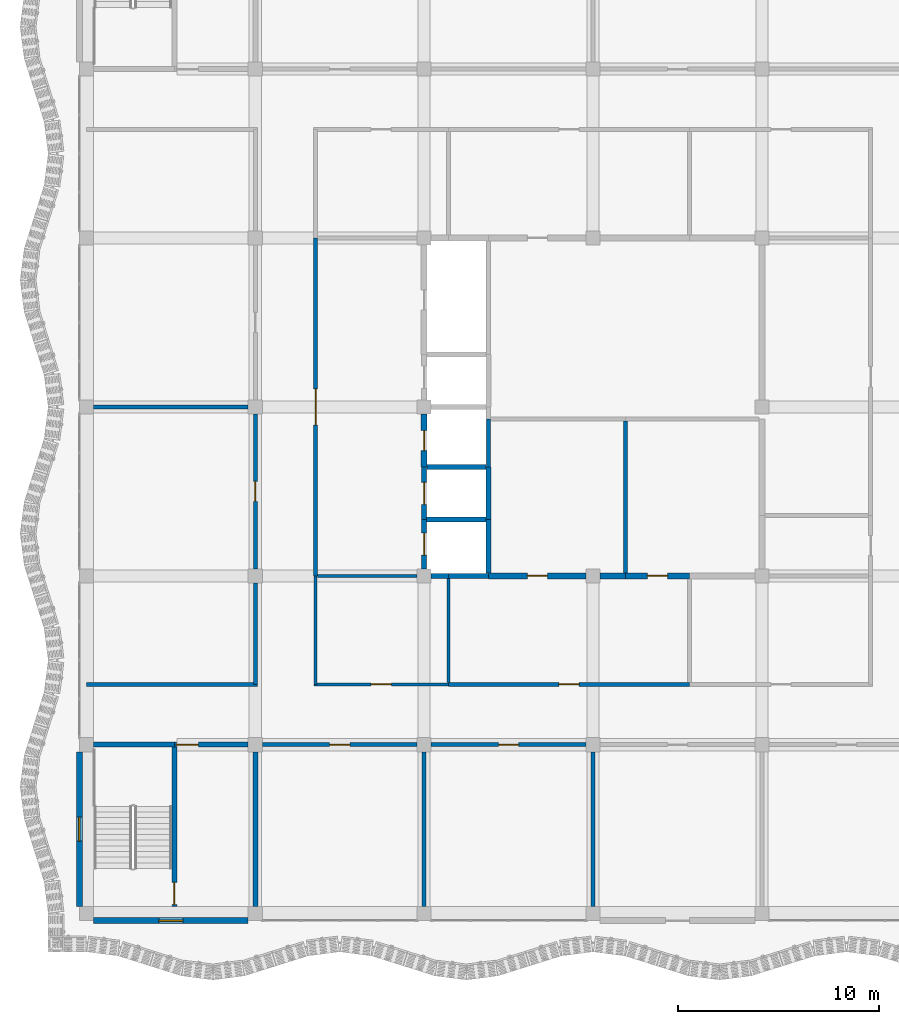
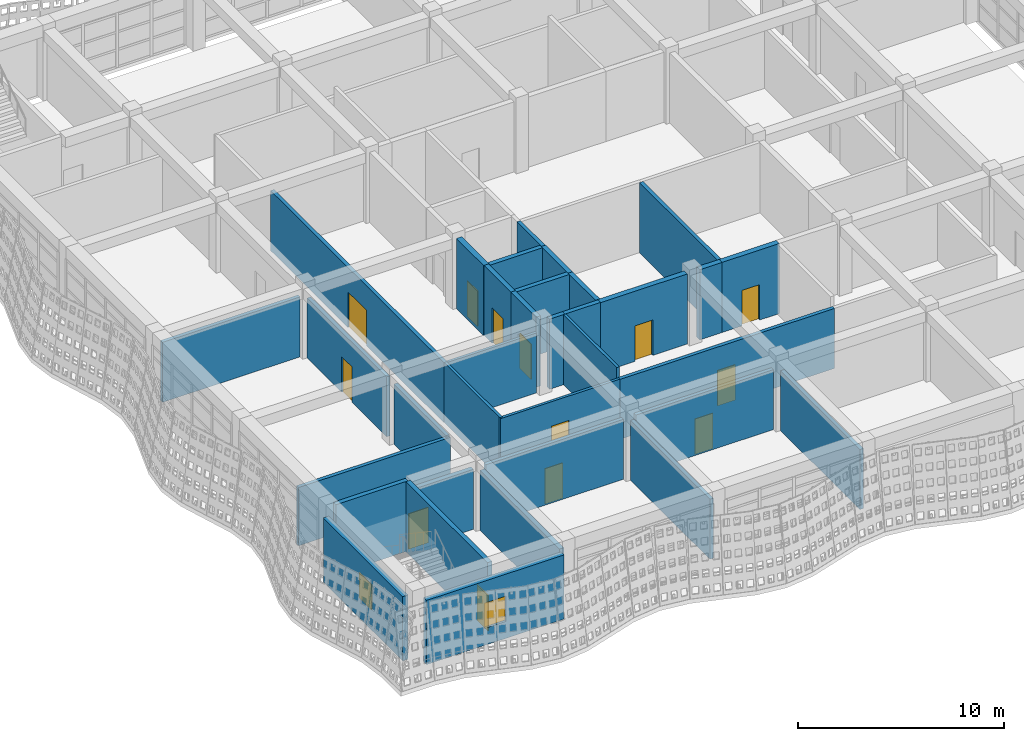
# One storey, part 78 of 162: 34 walls, 13 doors, 2 windows, 15 openings.
"""IFC4 building model written with IfcOpenShell, lengths in metres."""

from ifc_helpers import new_model, si_unit, direction, frame, frame_2d, origin, place, context, subcontext, project, spatial, rectangle, extrude, material, layer, layer_set, type_object, element, fill, save


model = new_model("IFC4")

# Units and contexts
model_context = context("Model", 3, precision=1e-05, world=origin(), true_north=direction((0.0, 1.0)))
body_context = subcontext(model_context, "Body", "Model", "MODEL_VIEW")
ifc_project = project(units=[si_unit("LENGTHUNIT", "METRE"), si_unit("AREAUNIT", "SQUARE_METRE"), si_unit("VOLUMEUNIT", "CUBIC_METRE"), si_unit("PLANEANGLEUNIT", "RADIAN"), si_unit("MASSUNIT", "GRAM", prefix="KILO")], contexts=[model_context])

# Site, building, storey
site_placement = place(None, origin())
site = spatial("IfcSite", under=ifc_project, at=site_placement, CompositionType="ELEMENT")
building_placement = place(site_placement, origin())
building = spatial("IfcBuilding", under=site, at=building_placement, Name="Rain Tree Exposition and Congress Centre", CompositionType="ELEMENT")
storey_placement = place(building_placement, frame((0.0, 0.0, 6.0)))
storey = spatial("IfcBuildingStorey", under=building, at=storey_placement, Name="L01", CompositionType="ELEMENT", Elevation=6.0)

# Wall, opening, door
ifc_material_1 = material(Name="Plasterboard on steel stud", Category="steel")
ifc_layer_1 = layer(ifc_material_1, 0.199951171875)
ifc_layer_set_1 = layer_set([ifc_layer_1], Name="Plasterboard on steel stud")
wall_type_1 = type_object("IfcWallType", Name="Wing acoustic partition 200", PredefinedType="PARTITIONING", material=ifc_layer_set_1)
wall_1_placement = place(storey_placement, frame((8.75, 8.39990234375, 0.0), z_axis=(0.0, 0.0, 1.0), x_axis=(1.0, 0.0, 0.0)))
wall_1 = element("IfcWall", 1, at=wall_1_placement, inside=storey, type_object=wall_type_1, Name="wing/wall/L01/003", PredefinedType="PARTITIONING", context=body_context, shape_type="SweptSolid", body=[
    extrude(rectangle(XDim=7.699951171875, YDim=0.199951171875, at=frame_2d((3.85009765625, 0.0))), origin(), (0.0, 0.0, 1.0), 3.550048828125),
])
opening_1_placement = place(wall_1_placement, frame((3.35009765625, 0.0, 0.0)))
opening_1 = element("IfcOpeningElement", 2, at=opening_1_placement, cuts=wall_1, Name="Opening DW221", PredefinedType="OPENING", context=body_context, shape_type="SweptSolid", body=[
    extrude(rectangle(XDim=1.0, YDim=2.10009765625, at=frame_2d((0.5, 1.050048828125))), frame((0.0, 0.10009765625, 0.0), z_axis=(0.0, -1.0, 0.0), x_axis=(1.0, 0.0, 0.0)), (0.0, 0.0, 1.0), 0.199951171875),
])
ifc_material_2 = material(Name="Timber door leaf", Category="wood")
door_type_1 = type_object("IfcDoorType", Name="Wing door FD30S 1000x2100", OperationType="NOTDEFINED", PredefinedType="DOOR", material=ifc_material_2)
door_1_placement = place(opening_1_placement, origin())
door_1 = element("IfcDoor", 3, at=door_1_placement, inside=storey, type_object=door_type_1, Name="Door DW221", OperationType="SINGLE_SWING_LEFT", OverallHeight=2.10009765625, OverallWidth=1.0, PredefinedType="DOOR", context=body_context, shape_type="SweptSolid", body=[
    extrude(rectangle(XDim=1.0, YDim=2.10009765625, at=frame_2d((0.5, 1.050048828125))), frame((0.0, 0.02490234375, 0.0), z_axis=(0.0, -1.0, 0.0), x_axis=(1.0, 0.0, 0.0)), (0.0, 0.0, 1.0), 0.050048828125),
])
fill(opening_1, door_1)

wall_2_placement = place(storey_placement, frame((17.14990234375, 8.39990234375, 0.0), z_axis=(0.0, 0.0, 1.0), x_axis=(1.0, 0.0, 0.0)))
wall_2 = element("IfcWall", 4, at=wall_2_placement, inside=storey, type_object=wall_type_1, Name="wing/wall/L01/004", PredefinedType="PARTITIONING", context=body_context, shape_type="SweptSolid", body=[
    extrude(rectangle(XDim=7.7001953125, YDim=0.199951171875, at=frame_2d((3.85009765625, 0.0))), origin(), (0.0, 0.0, 1.0), 3.550048828125),
])
opening_2_placement = place(wall_2_placement, frame((3.35009765625, 0.0, 0.0)))
opening_2 = element("IfcOpeningElement", 5, at=opening_2_placement, cuts=wall_2, Name="Opening DW222", PredefinedType="OPENING", context=body_context, shape_type="SweptSolid", body=[
    extrude(rectangle(XDim=1.0, YDim=2.10009765625, at=frame_2d((0.5, 1.050048828125))), frame((0.0, 0.10009765625, 0.0), z_axis=(0.0, -1.0, 0.0), x_axis=(1.0, 0.0, 0.0)), (0.0, 0.0, 1.0), 0.199951171875),
])
door_2_placement = place(opening_2_placement, origin())
door_2 = element("IfcDoor", 6, at=door_2_placement, inside=storey, type_object=door_type_1, Name="Door DW222", OperationType="SINGLE_SWING_LEFT", OverallHeight=2.10009765625, OverallWidth=1.0, PredefinedType="DOOR", context=body_context, shape_type="SweptSolid", body=[
    extrude(rectangle(XDim=1.0, YDim=2.10009765625, at=frame_2d((0.5, 1.050048828125))), frame((0.0, 0.02490234375, 0.0), z_axis=(0.0, -1.0, 0.0), x_axis=(1.0, 0.0, 0.0)), (0.0, 0.0, 1.0), 0.050048828125),
])
fill(opening_2, door_2)

# Wall
wall_3_placement = place(storey_placement, frame((0.0, 11.39990234375, 0.0), z_axis=(0.0, 0.0, 1.0), x_axis=(1.0, 0.0, 0.0)))
element("IfcWall", 7, at=wall_3_placement, inside=storey, type_object=wall_type_1, Name="wing/wall/L01/009", PredefinedType="PARTITIONING", context=body_context, shape_type="SweptSolid", body=[
    extrude(rectangle(XDim=8.5, YDim=0.199951171875, at=frame_2d((4.25, 0.0))), origin(), (0.0, 0.0, 1.0), 3.449951171875),
])

# Wall, opening, door
wall_4_placement = place(storey_placement, frame((18.0, 11.39990234375, 0.0), z_axis=(0.0, 0.0, 1.0), x_axis=(1.0, 0.0, 0.0)))
wall_4 = element("IfcWall", 8, at=wall_4_placement, inside=storey, type_object=wall_type_1, Name="wing/wall/L01/011", PredefinedType="PARTITIONING", context=body_context, shape_type="SweptSolid", body=[
    extrude(rectangle(XDim=12.0, YDim=0.199951171875, at=frame_2d((6.0, 0.0))), origin(), (0.0, 0.0, 1.0), 3.550048828125),
])
opening_3_placement = place(wall_4_placement, frame((5.5, 0.0, 0.0)))
opening_3 = element("IfcOpeningElement", 9, at=opening_3_placement, cuts=wall_4, Name="Opening DW217", PredefinedType="OPENING", context=body_context, shape_type="SweptSolid", body=[
    extrude(rectangle(XDim=1.0, YDim=2.10009765625, at=frame_2d((0.5, 1.050048828125))), frame((0.0, 0.10009765625, 0.0), z_axis=(0.0, -1.0, 0.0), x_axis=(1.0, 0.0, 0.0)), (0.0, 0.0, 1.0), 0.199951171875),
])
door_3_placement = place(opening_3_placement, origin())
door_3 = element("IfcDoor", 10, at=door_3_placement, inside=storey, type_object=door_type_1, Name="Door DW217", OperationType="SINGLE_SWING_LEFT", OverallHeight=2.10009765625, OverallWidth=1.0, PredefinedType="DOOR", context=body_context, shape_type="SweptSolid", body=[
    extrude(rectangle(XDim=1.0, YDim=2.10009765625, at=frame_2d((0.5, 1.050048828125))), frame((0.0, 0.02490234375, 0.0), z_axis=(0.0, -1.0, 0.0), x_axis=(1.0, 0.0, 0.0)), (0.0, 0.0, 1.0), 0.050048828125),
])
fill(opening_3, door_3)

# Walls
wall_5_placement = place(storey_placement, frame((0.35009765625, 25.199951171875, 0.0), z_axis=(0.0, 0.0, 1.0), x_axis=(1.0, 0.0, 0.0)))
element("IfcWall", 11, at=wall_5_placement, inside=storey, type_object=wall_type_1, Name="wing/wall/L01/028", PredefinedType="PARTITIONING", context=body_context, shape_type="SweptSolid", body=[
    extrude(rectangle(XDim=7.699951171875, YDim=0.199951171875, at=frame_2d((3.85009765625, 0.0))), origin(), (0.0, 0.0, 1.0), 3.550048828125),
])
wall_6_placement = place(storey_placement, frame((8.39990234375, 11.39990234375, 0.0), z_axis=(0.0, 0.0, 1.0), x_axis=(0.0, 1.0, 0.0)))
element("IfcWall", 12, at=wall_6_placement, inside=storey, type_object=wall_type_1, Name="wing/wall/L01/055", PredefinedType="PARTITIONING", context=body_context, shape_type="SweptSolid", body=[
    extrude(rectangle(XDim=5.050048828125, YDim=0.199951171875, at=frame_2d((2.52490234375, 0.0))), origin(), (0.0, 0.0, 1.0), 3.550048828125),
])

# Wall, opening, door
wall_7_placement = place(storey_placement, frame((8.39990234375, 17.14990234375, 0.0), z_axis=(0.0, 0.0, 1.0), x_axis=(0.0, 1.0, 0.0)))
wall_7 = element("IfcWall", 13, at=wall_7_placement, inside=storey, type_object=wall_type_1, Name="wing/wall/L01/056", PredefinedType="PARTITIONING", context=body_context, shape_type="SweptSolid", body=[
    extrude(rectangle(XDim=7.7001953125, YDim=0.199951171875, at=frame_2d((3.85009765625, 0.0))), origin(), (0.0, 0.0, 1.0), 3.550048828125),
])
opening_4_placement = place(wall_7_placement, frame((3.35009765625, 0.0, 0.0)))
opening_4 = element("IfcOpeningElement", 14, at=opening_4_placement, cuts=wall_7, Name="Opening DW228", PredefinedType="OPENING", context=body_context, shape_type="SweptSolid", body=[
    extrude(rectangle(XDim=1.0, YDim=2.10009765625, at=frame_2d((0.5, 1.050048828125))), frame((0.0, 0.10009765625, 0.0), z_axis=(0.0, -1.0, 0.0), x_axis=(1.0, 0.0, 0.0)), (0.0, 0.0, 1.0), 0.199951171875),
])
door_4_placement = place(opening_4_placement, origin())
door_4 = element("IfcDoor", 15, at=door_4_placement, inside=storey, type_object=door_type_1, Name="Door DW228", OperationType="SINGLE_SWING_LEFT", OverallHeight=2.10009765625, OverallWidth=1.0, PredefinedType="DOOR", context=body_context, shape_type="SweptSolid", body=[
    extrude(rectangle(XDim=1.0, YDim=2.10009765625, at=frame_2d((0.5, 1.050048828125))), frame((0.0, 0.02490234375, 0.0), z_axis=(0.0, -1.0, 0.0), x_axis=(1.0, 0.0, 0.0)), (0.0, 0.0, 1.0), 0.050048828125),
])
fill(opening_4, door_4)

wall_8_placement = place(storey_placement, frame((11.39990234375, 16.800048828125, 0.0), z_axis=(0.0, 0.0, 1.0), x_axis=(0.0, 1.0, 0.0)))
wall_8 = element("IfcWall", 16, at=wall_8_placement, inside=storey, type_object=wall_type_1, Name="wing/wall/L01/061", PredefinedType="PARTITIONING", context=body_context, shape_type="SweptSolid", body=[
    extrude(rectangle(XDim=16.800048828125, YDim=0.199951171875, at=frame_2d((8.39990234375, 0.0))), origin(), (0.0, 0.0, 1.0), 3.550048828125),
])
opening_5_placement = place(wall_8_placement, frame((7.5, 0.0, 0.0)))
opening_5 = element("IfcOpeningElement", 17, at=opening_5_placement, cuts=wall_8, Name="Opening DW219", PredefinedType="OPENING", context=body_context, shape_type="SweptSolid", body=[
    extrude(rectangle(XDim=1.800048828125, YDim=2.10009765625, at=frame_2d((0.89990234375, 1.050048828125))), frame((0.0, 0.10009765625, 0.0), z_axis=(0.0, -1.0, 0.0), x_axis=(1.0, 0.0, 0.0)), (0.0, 0.0, 1.0), 0.199951171875),
])
ifc_material_3 = material(Name="Timber door leaf", Category="wood")
door_type_2 = type_object("IfcDoorType", Name="Wing door FD30S 1800x2100 double", OperationType="DOUBLE_DOOR_DOUBLE_SWING", PredefinedType="DOOR", material=ifc_material_3)
door_5_placement = place(opening_5_placement, origin())
door_5 = element("IfcDoor", 18, at=door_5_placement, inside=storey, type_object=door_type_2, Name="Door DW219", OperationType="DOUBLE_DOOR_DOUBLE_SWING", OverallHeight=2.10009765625, OverallWidth=1.800048828125, PredefinedType="DOOR", context=body_context, shape_type="SweptSolid", body=[
    extrude(rectangle(XDim=1.800048828125, YDim=2.10009765625, at=frame_2d((0.89990234375, 1.050048828125))), frame((0.0, 0.02490234375, 0.0), z_axis=(0.0, -1.0, 0.0), x_axis=(1.0, 0.0, 0.0)), (0.0, 0.0, 1.0), 0.050048828125),
])
fill(opening_5, door_5)

# Walls
for number, where, z_axis, x_axis, name in (
    (19, (16.800048828125, 0.35009765625, 0.0), (0.0, 0.0, 1.0), (0.0, 1.0, 0.0), "wing/wall/L01/063"),
    (20, (25.199951171875, 0.35009765625, 0.0), (0.0, 0.0, 1.0), (0.0, 1.0, 0.0), "wing/wall/L01/077"),
):
    element("IfcWall", number, at=place(storey_placement, frame(where, z_axis=z_axis, x_axis=x_axis)), inside=storey, type_object=wall_type_1, Name=name, PredefinedType="PARTITIONING", context=body_context, shape_type="SweptSolid", body=[
        extrude(rectangle(XDim=7.699951171875, YDim=0.199951171875, at=frame_2d((3.85009765625, 0.0))), origin(), (0.0, 0.0, 1.0), 3.550048828125),
    ])
wall_9_placement = place(storey_placement, frame((26.800048828125, 16.949951171875, 0.0), z_axis=(0.0, 0.0, 1.0), x_axis=(0.0, 1.0, 0.0)))
element("IfcWall", 21, at=wall_9_placement, inside=storey, type_object=wall_type_1, Name="wing/wall/L01/079", PredefinedType="PARTITIONING", context=body_context, shape_type="SweptSolid", body=[
    extrude(rectangle(XDim=7.550048828125, YDim=0.199951171875, at=frame_2d((3.77490234375, 0.0))), origin(), (0.0, 0.0, 1.0), 4.14990234375),
])

# Wall, opening, door
ifc_material_4 = material(Name="Concrete C40/50", Category="concrete")
ifc_layer_2 = layer(ifc_material_4, 0.300048828125)
ifc_layer_set_2 = layer_set([ifc_layer_2], Name="Concrete C40/50")
wall_type_2 = type_object("IfcWallType", Name="Wing core wall 300", PredefinedType="SHEAR", material=ifc_layer_set_2)
wall_10_placement = place(storey_placement, frame((20.0, 16.800048828125, 0.0), z_axis=(0.0, 0.0, 1.0), x_axis=(1.0, 0.0, 0.0)))
wall_10 = element("IfcWall", 22, at=wall_10_placement, inside=storey, type_object=wall_type_2, Name="wing/wall/L01/017", PredefinedType="SHEAR", context=body_context, shape_type="SweptSolid", body=[
    extrude(rectangle(XDim=4.85009765625, YDim=0.300048828125, at=frame_2d((2.425048828125, 0.0))), origin(), (0.0, 0.0, 1.0), 4.14990234375),
])
opening_6_placement = place(wall_10_placement, frame((1.925048828125, 0.0, 0.0)))
opening_6 = element("IfcOpeningElement", 23, at=opening_6_placement, cuts=wall_10, Name="Opening DW214", PredefinedType="OPENING", context=body_context, shape_type="SweptSolid", body=[
    extrude(rectangle(XDim=1.0, YDim=2.10009765625, at=frame_2d((0.5, 1.050048828125))), frame((0.0, 0.14990234375, 0.0), z_axis=(0.0, -1.0, 0.0), x_axis=(1.0, 0.0, 0.0)), (0.0, 0.0, 1.0), 0.300048828125),
])
ifc_material_5 = material(Name="Timber door leaf", Category="wood")
door_type_3 = type_object("IfcDoorType", Name="Wing door FD60 1000x2100", OperationType="NOTDEFINED", PredefinedType="DOOR", material=ifc_material_5)
door_6_placement = place(opening_6_placement, origin())
door_6 = element("IfcDoor", 24, at=door_6_placement, inside=storey, type_object=door_type_3, Name="Door DW214", OperationType="SINGLE_SWING_LEFT", OverallHeight=2.10009765625, OverallWidth=1.0, PredefinedType="DOOR", context=body_context, shape_type="SweptSolid", body=[
    extrude(rectangle(XDim=1.0, YDim=2.10009765625, at=frame_2d((0.5, 1.050048828125))), frame((0.0, 0.02490234375, 0.0), z_axis=(0.0, -1.0, 0.0), x_axis=(1.0, 0.0, 0.0)), (0.0, 0.0, 1.0), 0.050048828125),
])
fill(opening_6, door_6)

# Wall
wall_11_placement = place(storey_placement, frame((25.550048828125, 16.800048828125, 0.0), z_axis=(0.0, 0.0, 1.0), x_axis=(1.0, 0.0, 0.0)))
element("IfcWall", 25, at=wall_11_placement, inside=storey, type_object=wall_type_2, Name="wing/wall/L01/018", PredefinedType="SHEAR", context=body_context, shape_type="SweptSolid", body=[
    extrude(rectangle(XDim=1.25, YDim=0.300048828125, at=frame_2d((0.625, 0.0))), origin(), (0.0, 0.0, 1.0), 4.14990234375),
])

# Wall, opening, door
wall_12_placement = place(storey_placement, frame((26.800048828125, 16.800048828125, 0.0), z_axis=(0.0, 0.0, 1.0), x_axis=(1.0, 0.0, 0.0)))
wall_12 = element("IfcWall", 26, at=wall_12_placement, inside=storey, type_object=wall_type_2, Name="wing/wall/L01/019", PredefinedType="SHEAR", context=body_context, shape_type="SweptSolid", body=[
    extrude(rectangle(XDim=3.199951171875, YDim=0.300048828125, at=frame_2d((1.60009765625, 0.0))), origin(), (0.0, 0.0, 1.0), 4.14990234375),
])
opening_7_placement = place(wall_12_placement, frame((1.10009765625, 0.0, 0.0)))
opening_7 = element("IfcOpeningElement", 27, at=opening_7_placement, cuts=wall_12, Name="Opening DW215", PredefinedType="OPENING", context=body_context, shape_type="SweptSolid", body=[
    extrude(rectangle(XDim=1.0, YDim=2.10009765625, at=frame_2d((0.5, 1.050048828125))), frame((0.0, 0.14990234375, 0.0), z_axis=(0.0, -1.0, 0.0), x_axis=(1.0, 0.0, 0.0)), (0.0, 0.0, 1.0), 0.300048828125),
])
door_7_placement = place(opening_7_placement, origin())
door_7 = element("IfcDoor", 28, at=door_7_placement, inside=storey, type_object=door_type_3, Name="Door DW215", OperationType="SINGLE_SWING_LEFT", OverallHeight=2.10009765625, OverallWidth=1.0, PredefinedType="DOOR", context=body_context, shape_type="SweptSolid", body=[
    extrude(rectangle(XDim=1.0, YDim=2.10009765625, at=frame_2d((0.5, 1.050048828125))), frame((0.0, 0.02490234375, 0.0), z_axis=(0.0, -1.0, 0.0), x_axis=(1.0, 0.0, 0.0)), (0.0, 0.0, 1.0), 0.050048828125),
])
fill(opening_7, door_7)

wall_13_placement = place(storey_placement, frame((16.800048828125, 22.199951171875, 0.0), z_axis=(0.0, 0.0, 1.0), x_axis=(0.0, 1.0, 0.0)))
wall_13 = element("IfcWall", 29, at=wall_13_placement, inside=storey, type_object=wall_type_2, Name="wing/wall/L01/066", PredefinedType="SHEAR", context=body_context, shape_type="SweptSolid", body=[
    extrude(rectangle(XDim=2.650146484375, YDim=0.300048828125, at=frame_2d((1.3251953125, 0.0))), origin(), (0.0, 0.0, 1.0), 4.14990234375),
])
opening_8_placement = place(wall_13_placement, frame((0.824951171875, 0.0, 0.0)))
opening_8 = element("IfcOpeningElement", 30, at=opening_8_placement, cuts=wall_13, Name="Opening DW211", PredefinedType="OPENING", context=body_context, shape_type="SweptSolid", body=[
    extrude(rectangle(XDim=1.0, YDim=2.10009765625, at=frame_2d((0.5, 1.050048828125))), frame((0.0, 0.14990234375, 0.0), z_axis=(0.0, -1.0, 0.0), x_axis=(1.0, 0.0, 0.0)), (0.0, 0.0, 1.0), 0.300048828125),
])
ifc_material_6 = material(Name="Timber door leaf", Category="wood")
door_type_4 = type_object("IfcDoorType", Name="Wing riser access door FD60 1000x2100", OperationType="NOTDEFINED", PredefinedType="DOOR", material=ifc_material_6)
door_8_placement = place(opening_8_placement, origin())
door_8 = element("IfcDoor", 31, at=door_8_placement, inside=storey, type_object=door_type_4, Name="Riser access door DW211", OperationType="SINGLE_SWING_LEFT", OverallHeight=2.10009765625, OverallWidth=1.0, PredefinedType="DOOR", context=body_context, shape_type="SweptSolid", body=[
    extrude(rectangle(XDim=1.0, YDim=2.10009765625, at=frame_2d((0.5, 1.050048828125))), frame((0.0, 0.02490234375, 0.0), z_axis=(0.0, -1.0, 0.0), x_axis=(1.0, 0.0, 0.0)), (0.0, 0.0, 1.0), 0.050048828125),
])
fill(opening_8, door_8)

# Wall, opening, window
ifc_material_7 = material(Name="Insulated cavity wall")
ifc_layer_3 = layer(ifc_material_7, 0.300048828125)
ifc_layer_set_3 = layer_set([ifc_layer_3], Name="Insulated cavity wall")
wall_type_3 = type_object("IfcWallType", Name="Wing external wall 300", PredefinedType="SOLIDWALL", material=ifc_layer_set_3)
wall_14_placement = place(storey_placement, frame((0.35009765625, -0.35009765625, 0.0), z_axis=(0.0, 0.0, 1.0), x_axis=(1.0, 0.0, 0.0)))
wall_14 = element("IfcWall", 32, at=wall_14_placement, inside=storey, type_object=wall_type_3, Name="wing/facade/L01/S0", PredefinedType="SOLIDWALL", context=body_context, shape_type="SweptSolid", body=[
    extrude(rectangle(XDim=7.699951171875, YDim=0.300048828125, at=frame_2d((3.85009765625, 0.0))), origin(), (0.0, 0.0, 1.0), 3.800048828125),
])
opening_9_placement = place(wall_14_placement, frame((3.25, 0.0, 1.0)))
opening_9 = element("IfcOpeningElement", 33, at=opening_9_placement, cuts=wall_14, Name="Opening WW201", PredefinedType="OPENING", context=body_context, shape_type="SweptSolid", body=[
    extrude(rectangle(XDim=1.199951171875, YDim=1.5, at=frame_2d((0.60009765625, 0.75))), frame((0.0, 0.14990234375, 0.0), z_axis=(0.0, -1.0, 0.0), x_axis=(1.0, 0.0, 0.0)), (0.0, 0.0, 1.0), 0.300048828125),
])
ifc_material_8 = material(Name="Aluminium framed glazing", Category="aluminium")
window_type = type_object("IfcWindowType", Name="Wing window 1200x1500", PartitioningType="SINGLE_PANEL", PredefinedType="WINDOW", material=ifc_material_8)
window_1_placement = place(opening_9_placement, origin())
window_1 = element("IfcWindow", 34, at=window_1_placement, inside=storey, type_object=window_type, Name="wing/window/L01/01", OverallHeight=1.5, OverallWidth=1.199951171875, PartitioningType="SINGLE_PANEL", PredefinedType="WINDOW", context=body_context, shape_type="SweptSolid", body=[
    extrude(rectangle(XDim=1.199951171875, YDim=1.5, at=frame_2d((0.60009765625, 0.75))), frame((0.0, 0.030029296875, 0.0), z_axis=(0.0, -1.0, 0.0), x_axis=(1.0, 0.0, 0.0)), (0.0, 0.0, 1.0), 0.06005859375),
])
fill(opening_9, window_1)

wall_15_placement = place(storey_placement, frame((-0.35009765625, 0.35009765625, 0.0), z_axis=(0.0, 0.0, 1.0), x_axis=(0.0, 1.0, 0.0)))
wall_15 = element("IfcWall", 35, at=wall_15_placement, inside=storey, type_object=wall_type_3, Name="wing/facade/L01/W0", PredefinedType="SOLIDWALL", context=body_context, shape_type="SweptSolid", body=[
    extrude(rectangle(XDim=7.699951171875, YDim=0.300048828125, at=frame_2d((3.85009765625, 0.0))), origin(), (0.0, 0.0, 1.0), 3.800048828125),
])
opening_10_placement = place(wall_15_placement, frame((3.25, 0.0, 1.0)))
opening_10 = element("IfcOpeningElement", 36, at=opening_10_placement, cuts=wall_15, Name="Opening WW205", PredefinedType="OPENING", context=body_context, shape_type="SweptSolid", body=[
    extrude(rectangle(XDim=1.199951171875, YDim=1.5, at=frame_2d((0.60009765625, 0.75))), frame((0.0, 0.14990234375, 0.0), z_axis=(0.0, -1.0, 0.0), x_axis=(1.0, 0.0, 0.0)), (0.0, 0.0, 1.0), 0.300048828125),
])
window_2_placement = place(opening_10_placement, origin())
window_2 = element("IfcWindow", 37, at=window_2_placement, inside=storey, type_object=window_type, Name="wing/window/L01/05", OverallHeight=1.5, OverallWidth=1.199951171875, PartitioningType="SINGLE_PANEL", PredefinedType="WINDOW", context=body_context, shape_type="SweptSolid", body=[
    extrude(rectangle(XDim=1.199951171875, YDim=1.5, at=frame_2d((0.60009765625, 0.75))), frame((0.0, 0.030029296875, 0.0), z_axis=(0.0, -1.0, 0.0), x_axis=(1.0, 0.0, 0.0)), (0.0, 0.0, 1.0), 0.06005859375),
])
fill(opening_10, window_2)

# Walls
ifc_material_9 = material(Name="Concrete C40/50", Category="concrete")
ifc_layer_4 = layer(ifc_material_9, 0.25)
ifc_layer_set_4 = layer_set([ifc_layer_4], Name="Concrete C40/50")
wall_type_4 = type_object("IfcWallType", Name="Wing lift shaft wall 250", PredefinedType="SHEAR", material=ifc_layer_set_4)
wall_16_placement = place(storey_placement, frame((17.14990234375, 16.800048828125, 0.0), z_axis=(0.0, 0.0, 1.0), x_axis=(1.0, 0.0, 0.0)))
element("IfcWall", 38, at=wall_16_placement, inside=storey, type_object=wall_type_4, Name="wing/wall/L01/015", PredefinedType="SHEAR", context=body_context, shape_type="SweptSolid", body=[
    extrude(rectangle(XDim=0.85009765625, YDim=0.25, at=frame_2d((0.425048828125, 0.0))), origin(), (0.0, 0.0, 1.0), 4.14990234375),
])
wall_17_placement = place(storey_placement, frame((18.0, 16.800048828125, 0.0), z_axis=(0.0, 0.0, 1.0), x_axis=(1.0, 0.0, 0.0)))
element("IfcWall", 39, at=wall_17_placement, inside=storey, type_object=wall_type_4, Name="wing/wall/L01/016", PredefinedType="SHEAR", context=body_context, shape_type="SweptSolid", body=[
    extrude(rectangle(XDim=2.0, YDim=0.25, at=frame_2d((1.0, 0.0))), origin(), (0.0, 0.0, 1.0), 4.14990234375),
])
wall_18_placement = place(storey_placement, frame((16.925048828125, 19.60009765625, 0.0), z_axis=(0.0, 0.0, 1.0), x_axis=(1.0, 0.0, 0.0)))
element("IfcWall", 40, at=wall_18_placement, inside=storey, type_object=wall_type_4, Name="wing/wall/L01/023", PredefinedType="SHEAR", context=body_context, shape_type="SweptSolid", body=[
    extrude(rectangle(XDim=2.949951171875, YDim=0.25, at=frame_2d((1.47509765625, 0.0))), origin(), (0.0, 0.0, 1.0), 4.14990234375),
])
wall_19_placement = place(storey_placement, frame((16.949951171875, 22.199951171875, 0.0), z_axis=(0.0, 0.0, 1.0), x_axis=(1.0, 0.0, 0.0)))
element("IfcWall", 41, at=wall_19_placement, inside=storey, type_object=wall_type_4, Name="wing/wall/L01/025", PredefinedType="SHEAR", context=body_context, shape_type="SweptSolid", body=[
    extrude(rectangle(XDim=2.925048828125, YDim=0.25, at=frame_2d((1.46240234375, 0.0))), origin(), (0.0, 0.0, 1.0), 4.14990234375),
])

# Wall, opening, door
wall_20_placement = place(storey_placement, frame((16.800048828125, 17.14990234375, 0.0), z_axis=(0.0, 0.0, 1.0), x_axis=(0.0, 1.0, 0.0)))
wall_20 = element("IfcWall", 42, at=wall_20_placement, inside=storey, type_object=wall_type_4, Name="wing/wall/L01/064", PredefinedType="SHEAR", context=body_context, shape_type="SweptSolid", body=[
    extrude(rectangle(XDim=2.4501953125, YDim=0.25, at=frame_2d((1.22509765625, 0.0))), origin(), (0.0, 0.0, 1.0), 4.14990234375),
])
opening_11_placement = place(wall_20_placement, frame((0.675048828125, 0.0, 0.0)))
opening_11 = element("IfcOpeningElement", 43, at=opening_11_placement, cuts=wall_20, Name="Opening DW209", PredefinedType="OPENING", context=body_context, shape_type="SweptSolid", body=[
    extrude(rectangle(XDim=1.10009765625, YDim=2.10009765625, at=frame_2d((0.550048828125, 1.050048828125))), frame((0.0, 0.125, 0.0), z_axis=(0.0, -1.0, 0.0), x_axis=(1.0, 0.0, 0.0)), (0.0, 0.0, 1.0), 0.25),
])
ifc_material_10 = material(Name="Stainless steel", Category="steel")
door_type_5 = type_object("IfcDoorType", Name="Lift landing door 1100x2100", OperationType="DOUBLE_DOOR_SLIDING", PredefinedType="DOOR", material=ifc_material_10)
door_9_placement = place(opening_11_placement, origin())
door_9 = element("IfcDoor", 44, at=door_9_placement, inside=storey, type_object=door_type_5, Name="Landing door DW209", OperationType="DOUBLE_DOOR_SLIDING", OverallHeight=2.10009765625, OverallWidth=1.10009765625, PredefinedType="DOOR", context=body_context, shape_type="SweptSolid", body=[
    extrude(rectangle(XDim=1.10009765625, YDim=2.10009765625, at=frame_2d((0.550048828125, 1.050048828125))), frame((0.0, 0.02490234375, 0.0), z_axis=(0.0, -1.0, 0.0), x_axis=(1.0, 0.0, 0.0)), (0.0, 0.0, 1.0), 0.050048828125),
])
fill(opening_11, door_9)

wall_21_placement = place(storey_placement, frame((16.800048828125, 19.60009765625, 0.0), z_axis=(0.0, 0.0, 1.0), x_axis=(0.0, 1.0, 0.0)))
wall_21 = element("IfcWall", 45, at=wall_21_placement, inside=storey, type_object=wall_type_4, Name="wing/wall/L01/065", PredefinedType="SHEAR", context=body_context, shape_type="SweptSolid", body=[
    extrude(rectangle(XDim=2.599853515625, YDim=0.25, at=frame_2d((1.2998046875, 0.0))), origin(), (0.0, 0.0, 1.0), 4.14990234375),
])
opening_12_placement = place(wall_21_placement, frame((0.75, 0.0, 0.0)))
opening_12 = element("IfcOpeningElement", 46, at=opening_12_placement, cuts=wall_21, Name="Opening DW210", PredefinedType="OPENING", context=body_context, shape_type="SweptSolid", body=[
    extrude(rectangle(XDim=1.10009765625, YDim=2.10009765625, at=frame_2d((0.550048828125, 1.050048828125))), frame((0.0, 0.125, 0.0), z_axis=(0.0, -1.0, 0.0), x_axis=(1.0, 0.0, 0.0)), (0.0, 0.0, 1.0), 0.25),
])
door_10_placement = place(opening_12_placement, origin())
door_10 = element("IfcDoor", 47, at=door_10_placement, inside=storey, type_object=door_type_5, Name="Landing door DW210", OperationType="DOUBLE_DOOR_SLIDING", OverallHeight=2.10009765625, OverallWidth=1.10009765625, PredefinedType="DOOR", context=body_context, shape_type="SweptSolid", body=[
    extrude(rectangle(XDim=1.10009765625, YDim=2.10009765625, at=frame_2d((0.550048828125, 1.050048828125))), frame((0.0, 0.02490234375, 0.0), z_axis=(0.0, -1.0, 0.0), x_axis=(1.0, 0.0, 0.0)), (0.0, 0.0, 1.0), 0.050048828125),
])
fill(opening_12, door_10)

# Walls
wall_22_placement = place(storey_placement, frame((20.0, 16.949951171875, 0.0), z_axis=(0.0, 0.0, 1.0), x_axis=(0.0, 1.0, 0.0)))
element("IfcWall", 48, at=wall_22_placement, inside=storey, type_object=wall_type_4, Name="wing/wall/L01/071", PredefinedType="SHEAR", context=body_context, shape_type="SweptSolid", body=[
    extrude(rectangle(XDim=2.650146484375, YDim=0.25, at=frame_2d((1.3251953125, 0.0))), origin(), (0.0, 0.0, 1.0), 4.14990234375),
])
wall_23_placement = place(storey_placement, frame((20.0, 19.60009765625, 0.0), z_axis=(0.0, 0.0, 1.0), x_axis=(0.0, 1.0, 0.0)))
element("IfcWall", 49, at=wall_23_placement, inside=storey, type_object=wall_type_4, Name="wing/wall/L01/072", PredefinedType="SHEAR", context=body_context, shape_type="SweptSolid", body=[
    extrude(rectangle(XDim=2.599853515625, YDim=0.25, at=frame_2d((1.2998046875, 0.0))), origin(), (0.0, 0.0, 1.0), 4.14990234375),
])
ifc_material_11 = material(Name="Dense blockwork", Category="masonry")
ifc_layer_5 = layer(ifc_material_11, 0.199951171875)
ifc_layer_set_5 = layer_set([ifc_layer_5], Name="Dense blockwork")
wall_type_5 = type_object("IfcWallType", Name="Wing riser wall 200", PredefinedType="SOLIDWALL", material=ifc_layer_set_5)
wall_24_placement = place(storey_placement, frame((20.0, 22.199951171875, 0.0), z_axis=(0.0, 0.0, 1.0), x_axis=(0.0, 1.0, 0.0)))
element("IfcWall", 50, at=wall_24_placement, inside=storey, type_object=wall_type_5, Name="wing/wall/L01/073", PredefinedType="SOLIDWALL", context=body_context, shape_type="SweptSolid", body=[
    extrude(rectangle(XDim=2.400146484375, YDim=0.199951171875, at=frame_2d((1.2001953125, 0.0))), origin(), (0.0, 0.0, 1.0), 4.14990234375),
])
ifc_material_12 = material(Name="Concrete C40/50", Category="concrete")
ifc_layer_6 = layer(ifc_material_12, 0.25)
ifc_layer_set_6 = layer_set([ifc_layer_6], Name="Concrete C40/50")
wall_type_6 = type_object("IfcWallType", Name="Wing stair wall 250", PredefinedType="SHEAR", material=ifc_layer_set_6)
wall_25_placement = place(storey_placement, frame((0.35009765625, 8.39990234375, 0.0), z_axis=(0.0, 0.0, 1.0), x_axis=(1.0, 0.0, 0.0)))
element("IfcWall", 51, at=wall_25_placement, inside=storey, type_object=wall_type_6, Name="wing/wall/L01/001", PredefinedType="SHEAR", context=body_context, shape_type="SweptSolid", body=[
    extrude(rectangle(XDim=4.02490234375, YDim=0.25, at=frame_2d((2.012451171875, 0.0))), origin(), (0.0, 0.0, 1.0), 4.14990234375),
])

# Wall, opening, door
wall_26_placement = place(storey_placement, frame((4.375, 8.39990234375, 0.0), z_axis=(0.0, 0.0, 1.0), x_axis=(1.0, 0.0, 0.0)))
wall_26 = element("IfcWall", 52, at=wall_26_placement, inside=storey, type_object=wall_type_6, Name="wing/wall/L01/002", PredefinedType="SHEAR", context=body_context, shape_type="SweptSolid", body=[
    extrude(rectangle(XDim=3.675048828125, YDim=0.25, at=frame_2d((1.83740234375, 0.0))), origin(), (0.0, 0.0, 1.0), 3.550048828125),
])
opening_13_placement = place(wall_26_placement, frame((0.10009765625, 0.0, 0.0)))
opening_13 = element("IfcOpeningElement", 53, at=opening_13_placement, cuts=wall_26, Name="Opening DW202", PredefinedType="OPENING", context=body_context, shape_type="SweptSolid", body=[
    extrude(rectangle(XDim=1.10009765625, YDim=2.10009765625, at=frame_2d((0.550048828125, 1.050048828125))), frame((0.0, 0.125, 0.0), z_axis=(0.0, -1.0, 0.0), x_axis=(1.0, 0.0, 0.0)), (0.0, 0.0, 1.0), 0.25),
])
ifc_material_13 = material(Name="Timber door leaf", Category="wood")
door_type_6 = type_object("IfcDoorType", Name="Wing door FD60 1100x2100", OperationType="NOTDEFINED", PredefinedType="DOOR", material=ifc_material_13)
door_11_placement = place(opening_13_placement, origin())
door_11 = element("IfcDoor", 54, at=door_11_placement, inside=storey, type_object=door_type_6, Name="Door DW202", OperationType="SINGLE_SWING_LEFT", OverallHeight=2.10009765625, OverallWidth=1.10009765625, PredefinedType="DOOR", context=body_context, shape_type="SweptSolid", body=[
    extrude(rectangle(XDim=1.10009765625, YDim=2.10009765625, at=frame_2d((0.550048828125, 1.050048828125))), frame((0.0, 0.02490234375, 0.0), z_axis=(0.0, -1.0, 0.0), x_axis=(1.0, 0.0, 0.0)), (0.0, 0.0, 1.0), 0.050048828125),
])
fill(opening_13, door_11)

wall_27_placement = place(storey_placement, frame((4.375, 0.35009765625, 0.0), z_axis=(0.0, 0.0, 1.0), x_axis=(0.0, 1.0, 0.0)))
wall_27 = element("IfcWall", 55, at=wall_27_placement, inside=storey, type_object=wall_type_6, Name="wing/wall/L01/052", PredefinedType="SHEAR", context=body_context, shape_type="SweptSolid", body=[
    extrude(rectangle(XDim=7.9248046875, YDim=0.25, at=frame_2d((3.96240234375, 0.0))), origin(), (0.0, 0.0, 1.0), 4.14990234375),
])
opening_14_placement = place(wall_27_placement, frame((0.10009765625, 0.0, 0.0)))
opening_14 = element("IfcOpeningElement", 56, at=opening_14_placement, cuts=wall_27, Name="Opening DW201", PredefinedType="OPENING", context=body_context, shape_type="SweptSolid", body=[
    extrude(rectangle(XDim=1.10009765625, YDim=2.10009765625, at=frame_2d((0.550048828125, 1.050048828125))), frame((0.0, 0.125, 0.0), z_axis=(0.0, -1.0, 0.0), x_axis=(1.0, 0.0, 0.0)), (0.0, 0.0, 1.0), 0.25),
])
door_12_placement = place(opening_14_placement, origin())
door_12 = element("IfcDoor", 57, at=door_12_placement, inside=storey, type_object=door_type_6, Name="Door DW201", OperationType="SINGLE_SWING_LEFT", OverallHeight=2.10009765625, OverallWidth=1.10009765625, PredefinedType="DOOR", context=body_context, shape_type="SweptSolid", body=[
    extrude(rectangle(XDim=1.10009765625, YDim=2.10009765625, at=frame_2d((0.550048828125, 1.050048828125))), frame((0.0, 0.02490234375, 0.0), z_axis=(0.0, -1.0, 0.0), x_axis=(1.0, 0.0, 0.0)), (0.0, 0.0, 1.0), 0.050048828125),
])
fill(opening_14, door_12)

# Wall
wall_28_placement = place(storey_placement, frame((8.39990234375, 0.35009765625, 0.0), z_axis=(0.0, 0.0, 1.0), x_axis=(0.0, 1.0, 0.0)))
element("IfcWall", 58, at=wall_28_placement, inside=storey, type_object=wall_type_6, Name="wing/wall/L01/054", PredefinedType="SHEAR", context=body_context, shape_type="SweptSolid", body=[
    extrude(rectangle(XDim=7.699951171875, YDim=0.25, at=frame_2d((3.85009765625, 0.0))), origin(), (0.0, 0.0, 1.0), 3.550048828125),
])

# Wall, opening, door
ifc_material_14 = material(Name="Plasterboard on steel stud", Category="steel")
ifc_layer_7 = layer(ifc_material_14, 0.14990234375)
ifc_layer_set_7 = layer_set([ifc_layer_7], Name="Plasterboard on steel stud")
wall_type_7 = type_object("IfcWallType", Name="Wing store wall 150", PredefinedType="PARTITIONING", material=ifc_layer_set_7)
wall_29_placement = place(storey_placement, frame((11.324951171875, 11.39990234375, 0.0), z_axis=(0.0, 0.0, 1.0), x_axis=(1.0, 0.0, 0.0)))
wall_29 = element("IfcWall", 59, at=wall_29_placement, inside=storey, type_object=wall_type_7, Name="wing/wall/L01/010", PredefinedType="PARTITIONING", context=body_context, shape_type="SweptSolid", body=[
    extrude(rectangle(XDim=6.675048828125, YDim=0.14990234375, at=frame_2d((3.33740234375, 0.0))), origin(), (0.0, 0.0, 1.0), 3.550048828125),
])
opening_15_placement = place(wall_29_placement, frame((2.83740234375, 0.0, 0.0)))
opening_15 = element("IfcOpeningElement", 60, at=opening_15_placement, cuts=wall_29, Name="Opening DW232", PredefinedType="OPENING", context=body_context, shape_type="SweptSolid", body=[
    extrude(rectangle(XDim=1.0, YDim=2.10009765625, at=frame_2d((0.5, 1.050048828125))), frame((0.0, 0.074951171875, 0.0), z_axis=(0.0, -1.0, 0.0), x_axis=(1.0, 0.0, 0.0)), (0.0, 0.0, 1.0), 0.14990234375),
])
door_13_placement = place(opening_15_placement, origin())
door_13 = element("IfcDoor", 61, at=door_13_placement, inside=storey, type_object=door_type_3, Name="Door DW232", OperationType="SINGLE_SWING_LEFT", OverallHeight=2.10009765625, OverallWidth=1.0, PredefinedType="DOOR", context=body_context, shape_type="SweptSolid", body=[
    extrude(rectangle(XDim=1.0, YDim=2.10009765625, at=frame_2d((0.5, 1.050048828125))), frame((0.0, 0.02490234375, 0.0), z_axis=(0.0, -1.0, 0.0), x_axis=(1.0, 0.0, 0.0)), (0.0, 0.0, 1.0), 0.050048828125),
])
fill(opening_15, door_13)

# Walls
wall_30_placement = place(storey_placement, frame((11.5, 16.800048828125, 0.0), z_axis=(0.0, 0.0, 1.0), x_axis=(1.0, 0.0, 0.0)))
element("IfcWall", 62, at=wall_30_placement, inside=storey, type_object=wall_type_7, Name="wing/wall/L01/014", PredefinedType="PARTITIONING", context=body_context, shape_type="SweptSolid", body=[
    extrude(rectangle(XDim=4.949951171875, YDim=0.14990234375, at=frame_2d((2.47509765625, 0.0))), origin(), (0.0, 0.0, 1.0), 3.550048828125),
])
wall_31_placement = place(storey_placement, frame((11.39990234375, 11.39990234375, 0.0), z_axis=(0.0, 0.0, 1.0), x_axis=(0.0, 1.0, 0.0)))
element("IfcWall", 63, at=wall_31_placement, inside=storey, type_object=wall_type_7, Name="wing/wall/L01/060", PredefinedType="PARTITIONING", context=body_context, shape_type="SweptSolid", body=[
    extrude(rectangle(XDim=5.400146484375, YDim=0.14990234375, at=frame_2d((2.7001953125, 0.0))), origin(), (0.0, 0.0, 1.0), 3.550048828125),
])
wall_32_placement = place(storey_placement, frame((18.0, 11.5, 0.0), z_axis=(0.0, 0.0, 1.0), x_axis=(0.0, 1.0, 0.0)))
element("IfcWall", 64, at=wall_32_placement, inside=storey, type_object=wall_type_7, Name="wing/wall/L01/069", PredefinedType="PARTITIONING", context=body_context, shape_type="SweptSolid", body=[
    extrude(rectangle(XDim=5.175048828125, YDim=0.14990234375, at=frame_2d((2.58740234375, 0.0))), origin(), (0.0, 0.0, 1.0), 4.14990234375),
])

save(model, "model.ifc")
